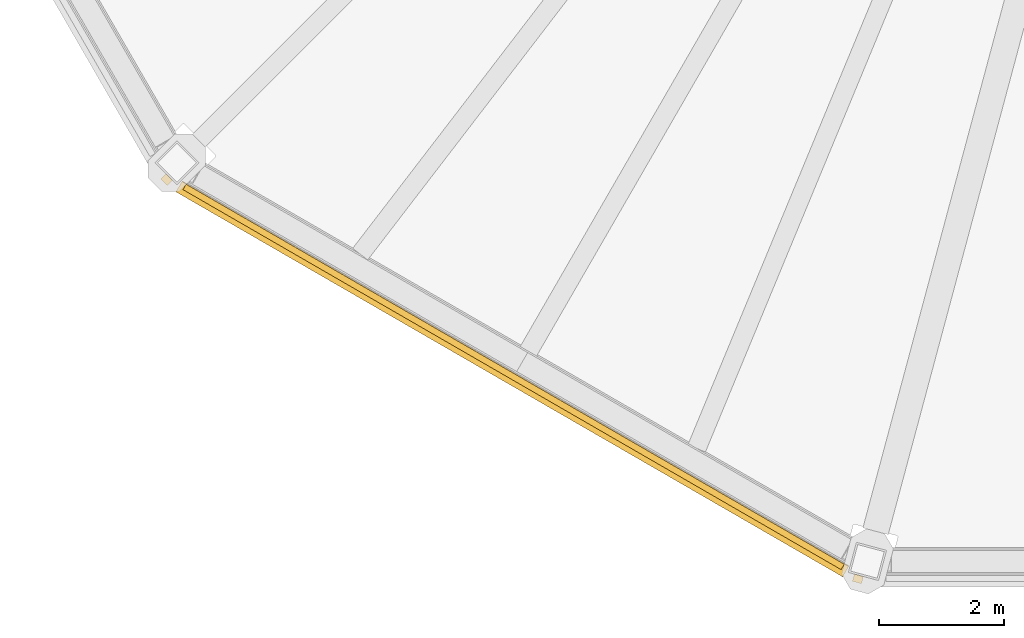
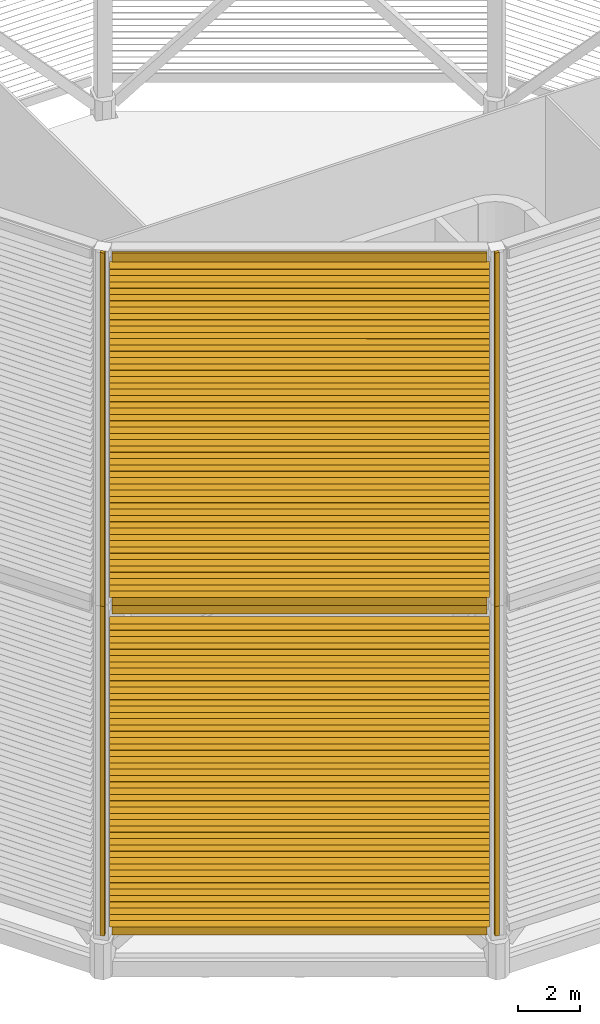
# One storey, part 7 of 18: 2 shading devices.
"""IFC4 building model written with IfcOpenShell, lengths in metres."""

from ifc_helpers import new_model, si_unit, direction, frame, origin, origin_2d, place, context, subcontext, project, spatial, rectangle, extrude, material, type_object, element, save


model = new_model("IFC4")

# Units and contexts
model_context = context("Model", 3, precision=1e-05, world=origin(), true_north=direction((0.0, 1.0)))
body_context = subcontext(model_context, "Body", "Model", "MODEL_VIEW")
ifc_project = project(units=[si_unit("LENGTHUNIT", "METRE"), si_unit("AREAUNIT", "SQUARE_METRE"), si_unit("VOLUMEUNIT", "CUBIC_METRE"), si_unit("PLANEANGLEUNIT", "RADIAN"), si_unit("MASSUNIT", "GRAM", prefix="KILO")], contexts=[model_context])

# Site, building, storey
site_placement = place(None, origin())
site = spatial("IfcSite", under=ifc_project, at=site_placement, CompositionType="ELEMENT")
building_placement = place(site_placement, origin())
building = spatial("IfcBuilding", under=site, at=building_placement, Name="Sahrelin Media Tower", CompositionType="ELEMENT")
storey_placement = place(building_placement, frame((0.0, 0.0, 335.800048828125)))
storey = spatial("IfcBuildingStorey", under=building, at=storey_placement, Name="Crown", CompositionType="ELEMENT", Elevation=335.800048828125)

# Shading devices
ifc_material = material(Name="Champagne anodised aluminium 6063-T6", Category="aluminium")
shading_device_type = type_object("IfcShadingDeviceType", Name="Crown louvre screen", PredefinedType="USERDEFINED", material=ifc_material)
shading_device_1_placement = place(storey_placement, frame((-17.44482421875, -17.44482421875, 0.949951171875), z_axis=(0.0, 0.0, 1.0), x_axis=(-0.866019052629, 0.500011000363, 0.0)))
element("IfcShadingDevice", 1, at=shading_device_1_placement, inside=storey, type_object=shading_device_type, Name="Crown louvre screen CS-07A", ObjectType="LOUVRE", PredefinedType="USERDEFINED", context=body_context, shape_type="SweptSolid", body=[
    extrude(rectangle(XDim=0.10009765625, YDim=0.35009765625, at=origin_2d()), frame((-0.300048828125, 0.27490234375, 12.875), z_axis=(-1.0, 0.0, 0.0), x_axis=(0.0, -1.0, 0.0)), (0.0, 0.0, 1.0), 12.17041015625),
    extrude(rectangle(XDim=0.10009765625, YDim=0.35009765625, at=origin_2d()), frame((-0.300048828125, 0.27490234375, 0.175048828125), z_axis=(-1.0, 0.0, 0.0), x_axis=(0.0, -1.0, 0.0)), (0.0, 0.0, 1.0), 12.17041015625),
    extrude(rectangle(XDim=0.1201171875, YDim=0.14990234375, at=origin_2d()), frame((0.0078125, 0.31884765625, 0.0), z_axis=(0.0, 0.0, 1.0), x_axis=(0.258817359244, 0.965926278012, 0.0)), (0.0, 0.0, 1.0), 13.050048828125),
    extrude(rectangle(XDim=0.1201171875, YDim=0.14990234375, at=origin_2d()), frame((-12.7783203125, 0.31884765625, 0.0), z_axis=(0.0, 0.0, 1.0), x_axis=(-0.258820730961, 0.965925374563, 0.0)), (0.0, 0.0, 1.0), 13.050048828125),
    extrude(rectangle(XDim=0.25, YDim=0.02001953125, at=origin_2d()), frame((-0.219970703125, 0.31005859375, 0.449951171875), z_axis=(-1.0, 0.0, 0.0), x_axis=(0.0, -0.766044443119, 0.642787609687)), (0.0, 0.0, 1.0), 12.33056640625),
    extrude(rectangle(XDim=0.25, YDim=0.02001953125, at=origin_2d()), frame((-0.219970703125, 0.31005859375, 0.699951171875), z_axis=(-1.0, 0.0, 0.0), x_axis=(0.0, -0.766044443119, 0.642787609687)), (0.0, 0.0, 1.0), 12.33056640625),
    extrude(rectangle(XDim=0.25, YDim=0.02001953125, at=origin_2d()), frame((-0.219970703125, 0.31005859375, 0.949951171875), z_axis=(-1.0, 0.0, 0.0), x_axis=(0.0, -0.766044443119, 0.642787609687)), (0.0, 0.0, 1.0), 12.33056640625),
    extrude(rectangle(XDim=0.25, YDim=0.02001953125, at=origin_2d()), frame((-0.219970703125, 0.31005859375, 1.199951171875), z_axis=(-1.0, 0.0, 0.0), x_axis=(0.0, -0.766044443119, 0.642787609687)), (0.0, 0.0, 1.0), 12.33056640625),
    extrude(rectangle(XDim=0.25, YDim=0.02001953125, at=origin_2d()), frame((-0.219970703125, 0.31005859375, 1.449951171875), z_axis=(-1.0, 0.0, 0.0), x_axis=(0.0, -0.766044443119, 0.642787609687)), (0.0, 0.0, 1.0), 12.33056640625),
    extrude(rectangle(XDim=0.25, YDim=0.02001953125, at=origin_2d()), frame((-0.219970703125, 0.31005859375, 1.699951171875), z_axis=(-1.0, 0.0, 0.0), x_axis=(0.0, -0.766044443119, 0.642787609687)), (0.0, 0.0, 1.0), 12.33056640625),
    extrude(rectangle(XDim=0.25, YDim=0.02001953125, at=origin_2d()), frame((-0.219970703125, 0.31005859375, 1.949951171875), z_axis=(-1.0, 0.0, 0.0), x_axis=(0.0, -0.766044443119, 0.642787609687)), (0.0, 0.0, 1.0), 12.33056640625),
    extrude(rectangle(XDim=0.25, YDim=0.02001953125, at=origin_2d()), frame((-0.219970703125, 0.31005859375, 2.199951171875), z_axis=(-1.0, 0.0, 0.0), x_axis=(0.0, -0.766044443119, 0.642787609687)), (0.0, 0.0, 1.0), 12.33056640625),
    extrude(rectangle(XDim=0.25, YDim=0.02001953125, at=origin_2d()), frame((-0.219970703125, 0.31005859375, 2.449951171875), z_axis=(-1.0, 0.0, 0.0), x_axis=(0.0, -0.766044443119, 0.642787609687)), (0.0, 0.0, 1.0), 12.33056640625),
    extrude(rectangle(XDim=0.25, YDim=0.02001953125, at=origin_2d()), frame((-0.219970703125, 0.31005859375, 2.699951171875), z_axis=(-1.0, 0.0, 0.0), x_axis=(0.0, -0.766044443119, 0.642787609687)), (0.0, 0.0, 1.0), 12.33056640625),
    extrude(rectangle(XDim=0.25, YDim=0.02001953125, at=origin_2d()), frame((-0.219970703125, 0.31005859375, 2.949951171875), z_axis=(-1.0, 0.0, 0.0), x_axis=(0.0, -0.766044443119, 0.642787609687)), (0.0, 0.0, 1.0), 12.33056640625),
    extrude(rectangle(XDim=0.25, YDim=0.02001953125, at=origin_2d()), frame((-0.219970703125, 0.31005859375, 3.199951171875), z_axis=(-1.0, 0.0, 0.0), x_axis=(0.0, -0.766044443119, 0.642787609687)), (0.0, 0.0, 1.0), 12.33056640625),
    extrude(rectangle(XDim=0.25, YDim=0.02001953125, at=origin_2d()), frame((-0.219970703125, 0.31005859375, 3.449951171875), z_axis=(-1.0, 0.0, 0.0), x_axis=(0.0, -0.766044443119, 0.642787609687)), (0.0, 0.0, 1.0), 12.33056640625),
    extrude(rectangle(XDim=0.25, YDim=0.02001953125, at=origin_2d()), frame((-0.219970703125, 0.31005859375, 3.699951171875), z_axis=(-1.0, 0.0, 0.0), x_axis=(0.0, -0.766044443119, 0.642787609687)), (0.0, 0.0, 1.0), 12.33056640625),
    extrude(rectangle(XDim=0.25, YDim=0.02001953125, at=origin_2d()), frame((-0.219970703125, 0.31005859375, 3.949951171875), z_axis=(-1.0, 0.0, 0.0), x_axis=(0.0, -0.766044443119, 0.642787609687)), (0.0, 0.0, 1.0), 12.33056640625),
    extrude(rectangle(XDim=0.25, YDim=0.02001953125, at=origin_2d()), frame((-0.219970703125, 0.31005859375, 4.199951171875), z_axis=(-1.0, 0.0, 0.0), x_axis=(0.0, -0.766044443119, 0.642787609687)), (0.0, 0.0, 1.0), 12.33056640625),
    extrude(rectangle(XDim=0.25, YDim=0.02001953125, at=origin_2d()), frame((-0.219970703125, 0.31005859375, 4.449951171875), z_axis=(-1.0, 0.0, 0.0), x_axis=(0.0, -0.766044443119, 0.642787609687)), (0.0, 0.0, 1.0), 12.33056640625),
    extrude(rectangle(XDim=0.25, YDim=0.02001953125, at=origin_2d()), frame((-0.219970703125, 0.31005859375, 4.699951171875), z_axis=(-1.0, 0.0, 0.0), x_axis=(0.0, -0.766044443119, 0.642787609687)), (0.0, 0.0, 1.0), 12.33056640625),
    extrude(rectangle(XDim=0.25, YDim=0.02001953125, at=origin_2d()), frame((-0.219970703125, 0.31005859375, 4.949951171875), z_axis=(-1.0, 0.0, 0.0), x_axis=(0.0, -0.766044443119, 0.642787609687)), (0.0, 0.0, 1.0), 12.33056640625),
    extrude(rectangle(XDim=0.25, YDim=0.02001953125, at=origin_2d()), frame((-0.219970703125, 0.31005859375, 5.199951171875), z_axis=(-1.0, 0.0, 0.0), x_axis=(0.0, -0.766044443119, 0.642787609687)), (0.0, 0.0, 1.0), 12.33056640625),
    extrude(rectangle(XDim=0.25, YDim=0.02001953125, at=origin_2d()), frame((-0.219970703125, 0.31005859375, 5.449951171875), z_axis=(-1.0, 0.0, 0.0), x_axis=(0.0, -0.766044443119, 0.642787609687)), (0.0, 0.0, 1.0), 12.33056640625),
    extrude(rectangle(XDim=0.25, YDim=0.02001953125, at=origin_2d()), frame((-0.219970703125, 0.31005859375, 5.699951171875), z_axis=(-1.0, 0.0, 0.0), x_axis=(0.0, -0.766044443119, 0.642787609687)), (0.0, 0.0, 1.0), 12.33056640625),
    extrude(rectangle(XDim=0.25, YDim=0.02001953125, at=origin_2d()), frame((-0.219970703125, 0.31005859375, 5.949951171875), z_axis=(-1.0, 0.0, 0.0), x_axis=(0.0, -0.766044443119, 0.642787609687)), (0.0, 0.0, 1.0), 12.33056640625),
    extrude(rectangle(XDim=0.25, YDim=0.02001953125, at=origin_2d()), frame((-0.219970703125, 0.31005859375, 6.199951171875), z_axis=(-1.0, 0.0, 0.0), x_axis=(0.0, -0.766044443119, 0.642787609687)), (0.0, 0.0, 1.0), 12.33056640625),
    extrude(rectangle(XDim=0.25, YDim=0.02001953125, at=origin_2d()), frame((-0.219970703125, 0.31005859375, 6.449951171875), z_axis=(-1.0, 0.0, 0.0), x_axis=(0.0, -0.766044443119, 0.642787609687)), (0.0, 0.0, 1.0), 12.33056640625),
    extrude(rectangle(XDim=0.25, YDim=0.02001953125, at=origin_2d()), frame((-0.219970703125, 0.31005859375, 6.699951171875), z_axis=(-1.0, 0.0, 0.0), x_axis=(0.0, -0.766044443119, 0.642787609687)), (0.0, 0.0, 1.0), 12.33056640625),
    extrude(rectangle(XDim=0.25, YDim=0.02001953125, at=origin_2d()), frame((-0.219970703125, 0.31005859375, 6.949951171875), z_axis=(-1.0, 0.0, 0.0), x_axis=(0.0, -0.766044443119, 0.642787609687)), (0.0, 0.0, 1.0), 12.33056640625),
    extrude(rectangle(XDim=0.25, YDim=0.02001953125, at=origin_2d()), frame((-0.219970703125, 0.31005859375, 7.199951171875), z_axis=(-1.0, 0.0, 0.0), x_axis=(0.0, -0.766044443119, 0.642787609687)), (0.0, 0.0, 1.0), 12.33056640625),
    extrude(rectangle(XDim=0.25, YDim=0.02001953125, at=origin_2d()), frame((-0.219970703125, 0.31005859375, 7.449951171875), z_axis=(-1.0, 0.0, 0.0), x_axis=(0.0, -0.766044443119, 0.642787609687)), (0.0, 0.0, 1.0), 12.33056640625),
    extrude(rectangle(XDim=0.25, YDim=0.02001953125, at=origin_2d()), frame((-0.219970703125, 0.31005859375, 7.699951171875), z_axis=(-1.0, 0.0, 0.0), x_axis=(0.0, -0.766044443119, 0.642787609687)), (0.0, 0.0, 1.0), 12.33056640625),
    extrude(rectangle(XDim=0.25, YDim=0.02001953125, at=origin_2d()), frame((-0.219970703125, 0.31005859375, 7.949951171875), z_axis=(-1.0, 0.0, 0.0), x_axis=(0.0, -0.766044443119, 0.642787609687)), (0.0, 0.0, 1.0), 12.33056640625),
    extrude(rectangle(XDim=0.25, YDim=0.02001953125, at=origin_2d()), frame((-0.219970703125, 0.31005859375, 8.199951171875), z_axis=(-1.0, 0.0, 0.0), x_axis=(0.0, -0.766044443119, 0.642787609687)), (0.0, 0.0, 1.0), 12.33056640625),
    extrude(rectangle(XDim=0.25, YDim=0.02001953125, at=origin_2d()), frame((-0.219970703125, 0.31005859375, 8.449951171875), z_axis=(-1.0, 0.0, 0.0), x_axis=(0.0, -0.766044443119, 0.642787609687)), (0.0, 0.0, 1.0), 12.33056640625),
    extrude(rectangle(XDim=0.25, YDim=0.02001953125, at=origin_2d()), frame((-0.219970703125, 0.31005859375, 8.699951171875), z_axis=(-1.0, 0.0, 0.0), x_axis=(0.0, -0.766044443119, 0.642787609687)), (0.0, 0.0, 1.0), 12.33056640625),
    extrude(rectangle(XDim=0.25, YDim=0.02001953125, at=origin_2d()), frame((-0.219970703125, 0.31005859375, 8.949951171875), z_axis=(-1.0, 0.0, 0.0), x_axis=(0.0, -0.766044443119, 0.642787609687)), (0.0, 0.0, 1.0), 12.33056640625),
    extrude(rectangle(XDim=0.25, YDim=0.02001953125, at=origin_2d()), frame((-0.219970703125, 0.31005859375, 9.199951171875), z_axis=(-1.0, 0.0, 0.0), x_axis=(0.0, -0.766044443119, 0.642787609687)), (0.0, 0.0, 1.0), 12.33056640625),
    extrude(rectangle(XDim=0.25, YDim=0.02001953125, at=origin_2d()), frame((-0.219970703125, 0.31005859375, 9.449951171875), z_axis=(-1.0, 0.0, 0.0), x_axis=(0.0, -0.766044443119, 0.642787609687)), (0.0, 0.0, 1.0), 12.33056640625),
    extrude(rectangle(XDim=0.25, YDim=0.02001953125, at=origin_2d()), frame((-0.219970703125, 0.31005859375, 9.699951171875), z_axis=(-1.0, 0.0, 0.0), x_axis=(0.0, -0.766044443119, 0.642787609687)), (0.0, 0.0, 1.0), 12.33056640625),
    extrude(rectangle(XDim=0.25, YDim=0.02001953125, at=origin_2d()), frame((-0.219970703125, 0.31005859375, 9.949951171875), z_axis=(-1.0, 0.0, 0.0), x_axis=(0.0, -0.766044443119, 0.642787609687)), (0.0, 0.0, 1.0), 12.33056640625),
    extrude(rectangle(XDim=0.25, YDim=0.02001953125, at=origin_2d()), frame((-0.219970703125, 0.31005859375, 10.199951171875), z_axis=(-1.0, 0.0, 0.0), x_axis=(0.0, -0.766044443119, 0.642787609687)), (0.0, 0.0, 1.0), 12.33056640625),
    extrude(rectangle(XDim=0.25, YDim=0.02001953125, at=origin_2d()), frame((-0.219970703125, 0.31005859375, 10.449951171875), z_axis=(-1.0, 0.0, 0.0), x_axis=(0.0, -0.766044443119, 0.642787609687)), (0.0, 0.0, 1.0), 12.33056640625),
    extrude(rectangle(XDim=0.25, YDim=0.02001953125, at=origin_2d()), frame((-0.219970703125, 0.31005859375, 10.699951171875), z_axis=(-1.0, 0.0, 0.0), x_axis=(0.0, -0.766044443119, 0.642787609687)), (0.0, 0.0, 1.0), 12.33056640625),
    extrude(rectangle(XDim=0.25, YDim=0.02001953125, at=origin_2d()), frame((-0.219970703125, 0.31005859375, 10.949951171875), z_axis=(-1.0, 0.0, 0.0), x_axis=(0.0, -0.766044443119, 0.642787609687)), (0.0, 0.0, 1.0), 12.33056640625),
    extrude(rectangle(XDim=0.25, YDim=0.02001953125, at=origin_2d()), frame((-0.219970703125, 0.31005859375, 11.199951171875), z_axis=(-1.0, 0.0, 0.0), x_axis=(0.0, -0.766044443119, 0.642787609687)), (0.0, 0.0, 1.0), 12.33056640625),
    extrude(rectangle(XDim=0.25, YDim=0.02001953125, at=origin_2d()), frame((-0.219970703125, 0.31005859375, 11.449951171875), z_axis=(-1.0, 0.0, 0.0), x_axis=(0.0, -0.766044443119, 0.642787609687)), (0.0, 0.0, 1.0), 12.33056640625),
    extrude(rectangle(XDim=0.25, YDim=0.02001953125, at=origin_2d()), frame((-0.219970703125, 0.31005859375, 11.699951171875), z_axis=(-1.0, 0.0, 0.0), x_axis=(0.0, -0.766044443119, 0.642787609687)), (0.0, 0.0, 1.0), 12.33056640625),
    extrude(rectangle(XDim=0.25, YDim=0.02001953125, at=origin_2d()), frame((-0.219970703125, 0.31005859375, 11.949951171875), z_axis=(-1.0, 0.0, 0.0), x_axis=(0.0, -0.766044443119, 0.642787609687)), (0.0, 0.0, 1.0), 12.33056640625),
    extrude(rectangle(XDim=0.25, YDim=0.02001953125, at=origin_2d()), frame((-0.219970703125, 0.31005859375, 12.199951171875), z_axis=(-1.0, 0.0, 0.0), x_axis=(0.0, -0.766044443119, 0.642787609687)), (0.0, 0.0, 1.0), 12.33056640625),
    extrude(rectangle(XDim=0.25, YDim=0.02001953125, at=origin_2d()), frame((-0.219970703125, 0.31005859375, 12.449951171875), z_axis=(-1.0, 0.0, 0.0), x_axis=(0.0, -0.766044443119, 0.642787609687)), (0.0, 0.0, 1.0), 12.33056640625),
])
shading_device_2_placement = place(storey_placement, frame((-17.44482421875, -17.44482421875, 14.0), z_axis=(0.0, 0.0, 1.0), x_axis=(-0.866019052629, 0.500011000363, 0.0)))
element("IfcShadingDevice", 2, at=shading_device_2_placement, inside=storey, type_object=shading_device_type, Name="Crown louvre screen CS-07B", ObjectType="LOUVRE", PredefinedType="USERDEFINED", context=body_context, shape_type="SweptSolid", body=[
    extrude(rectangle(XDim=0.10009765625, YDim=0.35009765625, at=origin_2d()), frame((-0.300048828125, 0.27490234375, 13.77490234375), z_axis=(-1.0, 0.0, 0.0), x_axis=(0.0, -1.0, 0.0)), (0.0, 0.0, 1.0), 12.17041015625),
    extrude(rectangle(XDim=0.10009765625, YDim=0.35009765625, at=origin_2d()), frame((-0.300048828125, 0.27490234375, 0.175048828125), z_axis=(-1.0, 0.0, 0.0), x_axis=(0.0, -1.0, 0.0)), (0.0, 0.0, 1.0), 12.17041015625),
    extrude(rectangle(XDim=0.1201171875, YDim=0.14990234375, at=origin_2d()), frame((0.0078125, 0.31884765625, 0.0), z_axis=(0.0, 0.0, 1.0), x_axis=(0.258817359244, 0.965926278012, 0.0)), (0.0, 0.0, 1.0), 14.0),
    extrude(rectangle(XDim=0.1201171875, YDim=0.14990234375, at=origin_2d()), frame((-12.7783203125, 0.31884765625, 0.0), z_axis=(0.0, 0.0, 1.0), x_axis=(-0.258820730961, 0.965925374563, 0.0)), (0.0, 0.0, 1.0), 14.0),
    extrude(rectangle(XDim=0.25, YDim=0.02001953125, at=origin_2d()), frame((-0.219970703125, 0.31005859375, 0.449951171875), z_axis=(-1.0, 0.0, 0.0), x_axis=(0.0, -0.766044443119, 0.642787609687)), (0.0, 0.0, 1.0), 12.33056640625),
    extrude(rectangle(XDim=0.25, YDim=0.02001953125, at=origin_2d()), frame((-0.219970703125, 0.31005859375, 0.699951171875), z_axis=(-1.0, 0.0, 0.0), x_axis=(0.0, -0.766044443119, 0.642787609687)), (0.0, 0.0, 1.0), 12.33056640625),
    extrude(rectangle(XDim=0.25, YDim=0.02001953125, at=origin_2d()), frame((-0.219970703125, 0.31005859375, 0.949951171875), z_axis=(-1.0, 0.0, 0.0), x_axis=(0.0, -0.766044443119, 0.642787609687)), (0.0, 0.0, 1.0), 12.33056640625),
    extrude(rectangle(XDim=0.25, YDim=0.02001953125, at=origin_2d()), frame((-0.219970703125, 0.31005859375, 1.199951171875), z_axis=(-1.0, 0.0, 0.0), x_axis=(0.0, -0.766044443119, 0.642787609687)), (0.0, 0.0, 1.0), 12.33056640625),
    extrude(rectangle(XDim=0.25, YDim=0.02001953125, at=origin_2d()), frame((-0.219970703125, 0.31005859375, 1.449951171875), z_axis=(-1.0, 0.0, 0.0), x_axis=(0.0, -0.766044443119, 0.642787609687)), (0.0, 0.0, 1.0), 12.33056640625),
    extrude(rectangle(XDim=0.25, YDim=0.02001953125, at=origin_2d()), frame((-0.219970703125, 0.31005859375, 1.699951171875), z_axis=(-1.0, 0.0, 0.0), x_axis=(0.0, -0.766044443119, 0.642787609687)), (0.0, 0.0, 1.0), 12.33056640625),
    extrude(rectangle(XDim=0.25, YDim=0.02001953125, at=origin_2d()), frame((-0.219970703125, 0.31005859375, 1.949951171875), z_axis=(-1.0, 0.0, 0.0), x_axis=(0.0, -0.766044443119, 0.642787609687)), (0.0, 0.0, 1.0), 12.33056640625),
    extrude(rectangle(XDim=0.25, YDim=0.02001953125, at=origin_2d()), frame((-0.219970703125, 0.31005859375, 2.199951171875), z_axis=(-1.0, 0.0, 0.0), x_axis=(0.0, -0.766044443119, 0.642787609687)), (0.0, 0.0, 1.0), 12.33056640625),
    extrude(rectangle(XDim=0.25, YDim=0.02001953125, at=origin_2d()), frame((-0.219970703125, 0.31005859375, 2.449951171875), z_axis=(-1.0, 0.0, 0.0), x_axis=(0.0, -0.766044443119, 0.642787609687)), (0.0, 0.0, 1.0), 12.33056640625),
    extrude(rectangle(XDim=0.25, YDim=0.02001953125, at=origin_2d()), frame((-0.219970703125, 0.31005859375, 2.699951171875), z_axis=(-1.0, 0.0, 0.0), x_axis=(0.0, -0.766044443119, 0.642787609687)), (0.0, 0.0, 1.0), 12.33056640625),
    extrude(rectangle(XDim=0.25, YDim=0.02001953125, at=origin_2d()), frame((-0.219970703125, 0.31005859375, 2.949951171875), z_axis=(-1.0, 0.0, 0.0), x_axis=(0.0, -0.766044443119, 0.642787609687)), (0.0, 0.0, 1.0), 12.33056640625),
    extrude(rectangle(XDim=0.25, YDim=0.02001953125, at=origin_2d()), frame((-0.219970703125, 0.31005859375, 3.199951171875), z_axis=(-1.0, 0.0, 0.0), x_axis=(0.0, -0.766044443119, 0.642787609687)), (0.0, 0.0, 1.0), 12.33056640625),
    extrude(rectangle(XDim=0.25, YDim=0.02001953125, at=origin_2d()), frame((-0.219970703125, 0.31005859375, 3.449951171875), z_axis=(-1.0, 0.0, 0.0), x_axis=(0.0, -0.766044443119, 0.642787609687)), (0.0, 0.0, 1.0), 12.33056640625),
    extrude(rectangle(XDim=0.25, YDim=0.02001953125, at=origin_2d()), frame((-0.219970703125, 0.31005859375, 3.699951171875), z_axis=(-1.0, 0.0, 0.0), x_axis=(0.0, -0.766044443119, 0.642787609687)), (0.0, 0.0, 1.0), 12.33056640625),
    extrude(rectangle(XDim=0.25, YDim=0.02001953125, at=origin_2d()), frame((-0.219970703125, 0.31005859375, 3.949951171875), z_axis=(-1.0, 0.0, 0.0), x_axis=(0.0, -0.766044443119, 0.642787609687)), (0.0, 0.0, 1.0), 12.33056640625),
    extrude(rectangle(XDim=0.25, YDim=0.02001953125, at=origin_2d()), frame((-0.219970703125, 0.31005859375, 4.199951171875), z_axis=(-1.0, 0.0, 0.0), x_axis=(0.0, -0.766044443119, 0.642787609687)), (0.0, 0.0, 1.0), 12.33056640625),
    extrude(rectangle(XDim=0.25, YDim=0.02001953125, at=origin_2d()), frame((-0.219970703125, 0.31005859375, 4.449951171875), z_axis=(-1.0, 0.0, 0.0), x_axis=(0.0, -0.766044443119, 0.642787609687)), (0.0, 0.0, 1.0), 12.33056640625),
    extrude(rectangle(XDim=0.25, YDim=0.02001953125, at=origin_2d()), frame((-0.219970703125, 0.31005859375, 4.699951171875), z_axis=(-1.0, 0.0, 0.0), x_axis=(0.0, -0.766044443119, 0.642787609687)), (0.0, 0.0, 1.0), 12.33056640625),
    extrude(rectangle(XDim=0.25, YDim=0.02001953125, at=origin_2d()), frame((-0.219970703125, 0.31005859375, 4.949951171875), z_axis=(-1.0, 0.0, 0.0), x_axis=(0.0, -0.766044443119, 0.642787609687)), (0.0, 0.0, 1.0), 12.33056640625),
    extrude(rectangle(XDim=0.25, YDim=0.02001953125, at=origin_2d()), frame((-0.219970703125, 0.31005859375, 5.199951171875), z_axis=(-1.0, 0.0, 0.0), x_axis=(0.0, -0.766044443119, 0.642787609687)), (0.0, 0.0, 1.0), 12.33056640625),
    extrude(rectangle(XDim=0.25, YDim=0.02001953125, at=origin_2d()), frame((-0.219970703125, 0.31005859375, 5.449951171875), z_axis=(-1.0, 0.0, 0.0), x_axis=(0.0, -0.766044443119, 0.642787609687)), (0.0, 0.0, 1.0), 12.33056640625),
    extrude(rectangle(XDim=0.25, YDim=0.02001953125, at=origin_2d()), frame((-0.219970703125, 0.31005859375, 5.699951171875), z_axis=(-1.0, 0.0, 0.0), x_axis=(0.0, -0.766044443119, 0.642787609687)), (0.0, 0.0, 1.0), 12.33056640625),
    extrude(rectangle(XDim=0.25, YDim=0.02001953125, at=origin_2d()), frame((-0.219970703125, 0.31005859375, 5.949951171875), z_axis=(-1.0, 0.0, 0.0), x_axis=(0.0, -0.766044443119, 0.642787609687)), (0.0, 0.0, 1.0), 12.33056640625),
    extrude(rectangle(XDim=0.25, YDim=0.02001953125, at=origin_2d()), frame((-0.219970703125, 0.31005859375, 6.199951171875), z_axis=(-1.0, 0.0, 0.0), x_axis=(0.0, -0.766044443119, 0.642787609687)), (0.0, 0.0, 1.0), 12.33056640625),
    extrude(rectangle(XDim=0.25, YDim=0.02001953125, at=origin_2d()), frame((-0.219970703125, 0.31005859375, 6.449951171875), z_axis=(-1.0, 0.0, 0.0), x_axis=(0.0, -0.766044443119, 0.642787609687)), (0.0, 0.0, 1.0), 12.33056640625),
    extrude(rectangle(XDim=0.25, YDim=0.02001953125, at=origin_2d()), frame((-0.219970703125, 0.31005859375, 6.699951171875), z_axis=(-1.0, 0.0, 0.0), x_axis=(0.0, -0.766044443119, 0.642787609687)), (0.0, 0.0, 1.0), 12.33056640625),
    extrude(rectangle(XDim=0.25, YDim=0.02001953125, at=origin_2d()), frame((-0.219970703125, 0.31005859375, 6.949951171875), z_axis=(-1.0, 0.0, 0.0), x_axis=(0.0, -0.766044443119, 0.642787609687)), (0.0, 0.0, 1.0), 12.33056640625),
    extrude(rectangle(XDim=0.25, YDim=0.02001953125, at=origin_2d()), frame((-0.219970703125, 0.31005859375, 7.199951171875), z_axis=(-1.0, 0.0, 0.0), x_axis=(0.0, -0.766044443119, 0.642787609687)), (0.0, 0.0, 1.0), 12.33056640625),
    extrude(rectangle(XDim=0.25, YDim=0.02001953125, at=origin_2d()), frame((-0.219970703125, 0.31005859375, 7.449951171875), z_axis=(-1.0, 0.0, 0.0), x_axis=(0.0, -0.766044443119, 0.642787609687)), (0.0, 0.0, 1.0), 12.33056640625),
    extrude(rectangle(XDim=0.25, YDim=0.02001953125, at=origin_2d()), frame((-0.219970703125, 0.31005859375, 7.699951171875), z_axis=(-1.0, 0.0, 0.0), x_axis=(0.0, -0.766044443119, 0.642787609687)), (0.0, 0.0, 1.0), 12.33056640625),
    extrude(rectangle(XDim=0.25, YDim=0.02001953125, at=origin_2d()), frame((-0.219970703125, 0.31005859375, 7.949951171875), z_axis=(-1.0, 0.0, 0.0), x_axis=(0.0, -0.766044443119, 0.642787609687)), (0.0, 0.0, 1.0), 12.33056640625),
    extrude(rectangle(XDim=0.25, YDim=0.02001953125, at=origin_2d()), frame((-0.219970703125, 0.31005859375, 8.199951171875), z_axis=(-1.0, 0.0, 0.0), x_axis=(0.0, -0.766044443119, 0.642787609687)), (0.0, 0.0, 1.0), 12.33056640625),
    extrude(rectangle(XDim=0.25, YDim=0.02001953125, at=origin_2d()), frame((-0.219970703125, 0.31005859375, 8.449951171875), z_axis=(-1.0, 0.0, 0.0), x_axis=(0.0, -0.766044443119, 0.642787609687)), (0.0, 0.0, 1.0), 12.33056640625),
    extrude(rectangle(XDim=0.25, YDim=0.02001953125, at=origin_2d()), frame((-0.219970703125, 0.31005859375, 8.699951171875), z_axis=(-1.0, 0.0, 0.0), x_axis=(0.0, -0.766044443119, 0.642787609687)), (0.0, 0.0, 1.0), 12.33056640625),
    extrude(rectangle(XDim=0.25, YDim=0.02001953125, at=origin_2d()), frame((-0.219970703125, 0.31005859375, 8.949951171875), z_axis=(-1.0, 0.0, 0.0), x_axis=(0.0, -0.766044443119, 0.642787609687)), (0.0, 0.0, 1.0), 12.33056640625),
    extrude(rectangle(XDim=0.25, YDim=0.02001953125, at=origin_2d()), frame((-0.219970703125, 0.31005859375, 9.199951171875), z_axis=(-1.0, 0.0, 0.0), x_axis=(0.0, -0.766044443119, 0.642787609687)), (0.0, 0.0, 1.0), 12.33056640625),
    extrude(rectangle(XDim=0.25, YDim=0.02001953125, at=origin_2d()), frame((-0.219970703125, 0.31005859375, 9.449951171875), z_axis=(-1.0, 0.0, 0.0), x_axis=(0.0, -0.766044443119, 0.642787609687)), (0.0, 0.0, 1.0), 12.33056640625),
    extrude(rectangle(XDim=0.25, YDim=0.02001953125, at=origin_2d()), frame((-0.219970703125, 0.31005859375, 9.699951171875), z_axis=(-1.0, 0.0, 0.0), x_axis=(0.0, -0.766044443119, 0.642787609687)), (0.0, 0.0, 1.0), 12.33056640625),
    extrude(rectangle(XDim=0.25, YDim=0.02001953125, at=origin_2d()), frame((-0.219970703125, 0.31005859375, 9.949951171875), z_axis=(-1.0, 0.0, 0.0), x_axis=(0.0, -0.766044443119, 0.642787609687)), (0.0, 0.0, 1.0), 12.33056640625),
    extrude(rectangle(XDim=0.25, YDim=0.02001953125, at=origin_2d()), frame((-0.219970703125, 0.31005859375, 10.199951171875), z_axis=(-1.0, 0.0, 0.0), x_axis=(0.0, -0.766044443119, 0.642787609687)), (0.0, 0.0, 1.0), 12.33056640625),
    extrude(rectangle(XDim=0.25, YDim=0.02001953125, at=origin_2d()), frame((-0.219970703125, 0.31005859375, 10.449951171875), z_axis=(-1.0, 0.0, 0.0), x_axis=(0.0, -0.766044443119, 0.642787609687)), (0.0, 0.0, 1.0), 12.33056640625),
    extrude(rectangle(XDim=0.25, YDim=0.02001953125, at=origin_2d()), frame((-0.219970703125, 0.31005859375, 10.699951171875), z_axis=(-1.0, 0.0, 0.0), x_axis=(0.0, -0.766044443119, 0.642787609687)), (0.0, 0.0, 1.0), 12.33056640625),
    extrude(rectangle(XDim=0.25, YDim=0.02001953125, at=origin_2d()), frame((-0.219970703125, 0.31005859375, 10.949951171875), z_axis=(-1.0, 0.0, 0.0), x_axis=(0.0, -0.766044443119, 0.642787609687)), (0.0, 0.0, 1.0), 12.33056640625),
    extrude(rectangle(XDim=0.25, YDim=0.02001953125, at=origin_2d()), frame((-0.219970703125, 0.31005859375, 11.199951171875), z_axis=(-1.0, 0.0, 0.0), x_axis=(0.0, -0.766044443119, 0.642787609687)), (0.0, 0.0, 1.0), 12.33056640625),
    extrude(rectangle(XDim=0.25, YDim=0.02001953125, at=origin_2d()), frame((-0.219970703125, 0.31005859375, 11.449951171875), z_axis=(-1.0, 0.0, 0.0), x_axis=(0.0, -0.766044443119, 0.642787609687)), (0.0, 0.0, 1.0), 12.33056640625),
    extrude(rectangle(XDim=0.25, YDim=0.02001953125, at=origin_2d()), frame((-0.219970703125, 0.31005859375, 11.699951171875), z_axis=(-1.0, 0.0, 0.0), x_axis=(0.0, -0.766044443119, 0.642787609687)), (0.0, 0.0, 1.0), 12.33056640625),
    extrude(rectangle(XDim=0.25, YDim=0.02001953125, at=origin_2d()), frame((-0.219970703125, 0.31005859375, 11.949951171875), z_axis=(-1.0, 0.0, 0.0), x_axis=(0.0, -0.766044443119, 0.642787609687)), (0.0, 0.0, 1.0), 12.33056640625),
    extrude(rectangle(XDim=0.25, YDim=0.02001953125, at=origin_2d()), frame((-0.219970703125, 0.31005859375, 12.199951171875), z_axis=(-1.0, 0.0, 0.0), x_axis=(0.0, -0.766044443119, 0.642787609687)), (0.0, 0.0, 1.0), 12.33056640625),
    extrude(rectangle(XDim=0.25, YDim=0.02001953125, at=origin_2d()), frame((-0.219970703125, 0.31005859375, 12.449951171875), z_axis=(-1.0, 0.0, 0.0), x_axis=(0.0, -0.766044443119, 0.642787609687)), (0.0, 0.0, 1.0), 12.33056640625),
    extrude(rectangle(XDim=0.25, YDim=0.02001953125, at=origin_2d()), frame((-0.219970703125, 0.31005859375, 12.699951171875), z_axis=(-1.0, 0.0, 0.0), x_axis=(0.0, -0.766044443119, 0.642787609687)), (0.0, 0.0, 1.0), 12.33056640625),
    extrude(rectangle(XDim=0.25, YDim=0.02001953125, at=origin_2d()), frame((-0.219970703125, 0.31005859375, 12.949951171875), z_axis=(-1.0, 0.0, 0.0), x_axis=(0.0, -0.766044443119, 0.642787609687)), (0.0, 0.0, 1.0), 12.33056640625),
    extrude(rectangle(XDim=0.25, YDim=0.02001953125, at=origin_2d()), frame((-0.219970703125, 0.31005859375, 13.199951171875), z_axis=(-1.0, 0.0, 0.0), x_axis=(0.0, -0.766044443119, 0.642787609687)), (0.0, 0.0, 1.0), 12.33056640625),
    extrude(rectangle(XDim=0.25, YDim=0.02001953125, at=origin_2d()), frame((-0.219970703125, 0.31005859375, 13.449951171875), z_axis=(-1.0, 0.0, 0.0), x_axis=(0.0, -0.766044443119, 0.642787609687)), (0.0, 0.0, 1.0), 12.33056640625),
])

save(model, "model.ifc")
